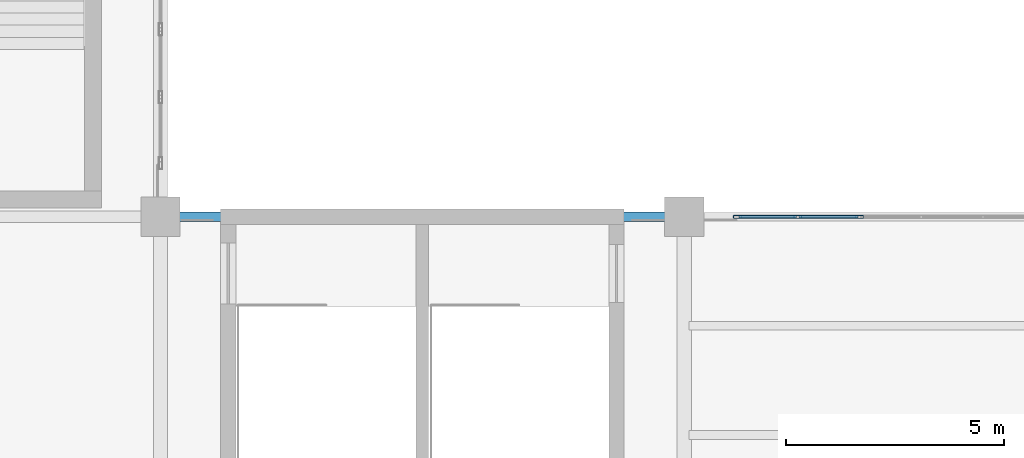
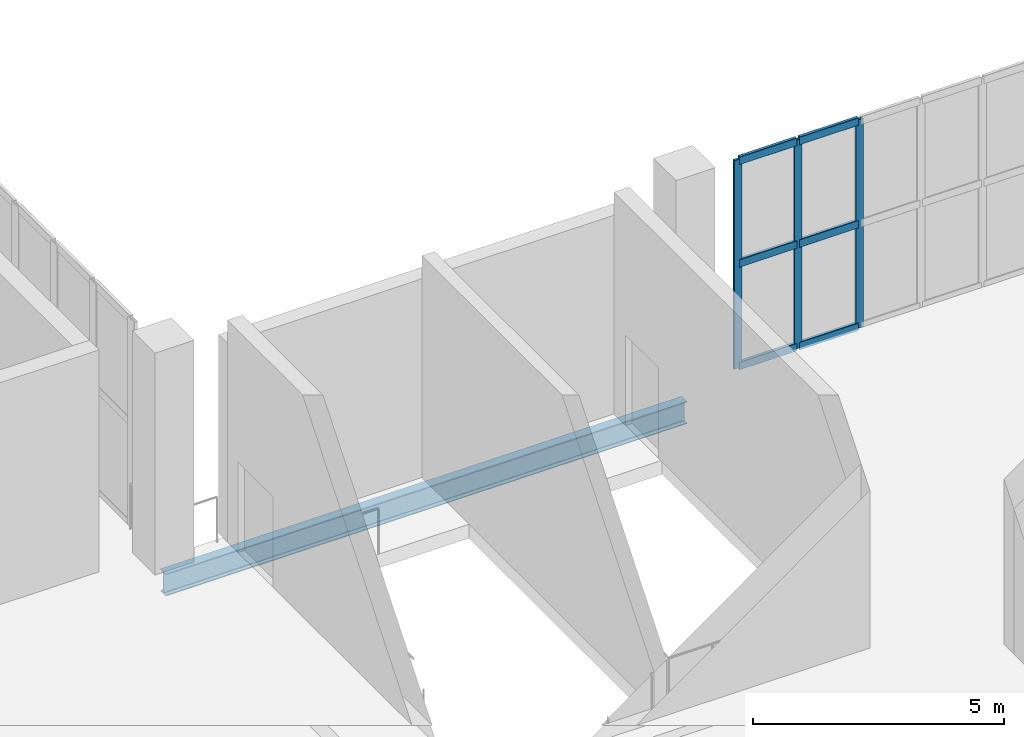
# One storey, part 26 of 74: 9 members, 1 beam, 1 element without a shape of its own.
"""IFC4 building model written with IfcOpenShell, lengths in metres."""

import ifcopenshell
import ifcopenshell.guid

model = None  # the IFC model being written
_history = None  # IfcOwnerHistory: only IFC2X3 demands one
_inside = {}  # id of a spatial element -> (the spatial element, [elements in it])
_under = {}  # id of a project, library or spatial element -> (it, [spatial elements below it])
_declared = {}  # id of a project -> (the project, [libraries it declares])
_typed = {}  # id of a type object -> (the type object, [elements of that type])
_made_of = {}  # id of a material, layer set ... -> (it, [elements and type objects made of it])


def new_model(schema):
    """Start an empty IFC model of exactly this schema.

    Asked for "IFC4X3", IfcOpenShell would pick the latest addendum, in which some entities
    have other attributes; the version numbers below select the first issue.
    IFC2X3 requires an IfcOwnerHistory on every rooted entity: one is made here for all.
    """
    global model, _history
    if schema == "IFC4X3":
        model = ifcopenshell.file(schema_version=(4, 3, 0, 0))
    else:
        model = ifcopenshell.file(schema=schema)
    _inside.clear()
    _under.clear()
    _declared.clear()
    _typed.clear()
    _made_of.clear()
    _history = None
    if model.schema == "IFC2X3":
        org = make("IfcOrganization", Name="unknown")
        user = make(
            "IfcPersonAndOrganization",
            ThePerson=make("IfcPerson", FamilyName="unknown"),
            TheOrganization=org,
        )
        app = make(
            "IfcApplication",
            ApplicationDeveloper=org,
            Version="unknown",
            ApplicationFullName="unknown",
            ApplicationIdentifier="unknown",
        )
        _history = make(
            "IfcOwnerHistory",
            OwningUser=user,
            OwningApplication=app,
            ChangeAction="ADDED",
            CreationDate=0,
        )
    return model


def make(cls, **values):
    """One entity of the class cls with the attributes given. An attribute that is None is left unset."""
    return model.create_entity(
        cls, **{name: value for name, value in values.items() if value is not None}
    )


def rooted(cls, **values):
    """An entity with a GlobalId (a new one), such as an element, a storey or a relation."""
    return make(cls, GlobalId=ifcopenshell.guid.new(), OwnerHistory=_history, **values)


def si_unit(unit_type, name, prefix=None):
    """IfcSIUnit, for example si_unit("LENGTHUNIT", "METRE", prefix="MILLI")."""
    return make("IfcSIUnit", UnitType=unit_type, Prefix=prefix, Name=name)


def assignment(units):
    """IfcUnitAssignment: the units of a project."""
    return None if units is None else make("IfcUnitAssignment", Units=units)


def point(xyz):
    """IfcCartesianPoint."""
    return None if xyz is None else make("IfcCartesianPoint", Coordinates=xyz)


def direction(xyz):
    """IfcDirection."""
    return None if xyz is None else make("IfcDirection", DirectionRatios=xyz)


def frame(location, z_axis=None, x_axis=None):
    """IfcAxis2Placement3D, a coordinate frame: its origin and axes. An axis left out is left unset."""
    return make(
        "IfcAxis2Placement3D",
        Location=point(location),
        Axis=direction(z_axis),
        RefDirection=direction(x_axis),
    )


def frame_2d(location, x_axis=None):
    """IfcAxis2Placement2D, a coordinate frame in the plane: its origin and x axis."""
    return make(
        "IfcAxis2Placement2D", Location=point(location), RefDirection=direction(x_axis)
    )


def origin():
    """The frame at (0, 0, 0) with its axes left unset."""
    return frame((0.0, 0.0, 0.0))


def origin_2d():
    """The frame at (0, 0) in the plane with its x axis left unset."""
    return frame_2d((0.0, 0.0))


def place(relative_to, where):
    """IfcLocalPlacement: puts the frame where relative to a parent placement (None: the world)."""
    return make(
        "IfcLocalPlacement", PlacementRelTo=relative_to, RelativePlacement=where
    )


def context(
    kind, dimensions, precision=None, world=None, true_north=None, identifier=None
):
    """IfcGeometricRepresentationContext, for example the 3D "Model" context."""
    return make(
        "IfcGeometricRepresentationContext",
        ContextIdentifier=identifier,
        ContextType=kind,
        CoordinateSpaceDimension=dimensions,
        Precision=precision,
        WorldCoordinateSystem=world,
        TrueNorth=true_north,
    )


def subcontext(parent, identifier, kind, view, scale=None):
    """IfcGeometricRepresentationSubContext, for example "Body" below "Model"."""
    return make(
        "IfcGeometricRepresentationSubContext",
        ContextIdentifier=identifier,
        ContextType=kind,
        ParentContext=parent,
        TargetScale=scale,
        TargetView=view,
    )


def project(units=None, contexts=None):
    """IfcProject with its units and contexts."""
    return rooted(
        "IfcProject",
        Name="project",
        RepresentationContexts=contexts,
        UnitsInContext=assignment(units),
    )


def spatial(cls, under=None, at=None, **own):
    """A site, building, storey or space (cls), placed at a placement, below another one or the project."""
    s = rooted(cls, ObjectPlacement=at, **own)
    if under is not None:
        _under.setdefault(under.id(), (under, []))[1].append(s)
    return s


def profile(cls, at=None, kind="AREA", **sizes):
    """A parametric profile (cls). Its sizes go by their IFC names, for example OverallWidth=200.0."""
    return make(cls, ProfileType=kind, Position=at, **sizes)


def hollow_rectangle(**sizes):
    """IfcRectangleHollowProfileDef."""
    return profile("IfcRectangleHollowProfileDef", **sizes)


def i_section(**sizes):
    """IfcIShapeProfileDef."""
    return profile("IfcIShapeProfileDef", **sizes)


def extrude(swept, where, along, depth):
    """IfcExtrudedAreaSolid: the profile swept, set in the frame where, extruded along a direction by depth."""
    return make(
        "IfcExtrudedAreaSolid",
        SweptArea=swept,
        Position=where,
        ExtrudedDirection=direction(along),
        Depth=depth,
    )


def shape(context_of_items, identifier, shape_type, items):
    """IfcShapeRepresentation: the items that make up one representation, for example the "Body"."""
    return make(
        "IfcShapeRepresentation",
        ContextOfItems=context_of_items,
        RepresentationIdentifier=identifier,
        RepresentationType=shape_type,
        Items=items,
    )


def material(Name=None, Category=None):
    """IfcMaterial."""
    return make("IfcMaterial", Name=Name, Category=Category)


def layer(
    of_material, thickness, ventilated=None, Name=None, Category=None, Priority=None
):
    """IfcMaterialLayer: one layer of a wall or slab, of a material (None: an air gap)."""
    return make(
        "IfcMaterialLayer",
        Material=of_material,
        LayerThickness=thickness,
        IsVentilated=ventilated,
        Name=Name,
        Category=Category,
        Priority=Priority,
    )


def layer_set(layers, Name=None):
    """IfcMaterialLayerSet."""
    return make("IfcMaterialLayerSet", MaterialLayers=layers, LayerSetName=Name)


def material_profile(
    of_material, cross_section, Name=None, Category=None, Priority=None
):
    """IfcMaterialProfile: a cross section and its material."""
    return make(
        "IfcMaterialProfile",
        Name=Name,
        Material=of_material,
        Profile=cross_section,
        Priority=Priority,
        Category=Category,
    )


def profile_set(profiles, Name=None, composite=None):
    """IfcMaterialProfileSet."""
    return make(
        "IfcMaterialProfileSet",
        Name=Name,
        MaterialProfiles=profiles,
        CompositeProfile=composite,
    )


def made_of(thing, what):
    """Note that an element or type object is made of a material, layer set ...; save() writes the relation."""
    if what is not None:
        _made_of.setdefault(what.id(), (what, []))[1].append(thing)
    return thing


def type_object(cls, material=None, **own):
    """A type object (cls), such as IfcWallType, which elements share."""
    return made_of(rooted(cls, **own), material)


def element(
    cls,
    number,
    at=None,
    inside=None,
    cuts=None,
    type_object=None,
    material=None,
    context=None,
    identifier="Body",
    shape_type=None,
    held_by="IfcProductDefinitionShape",
    body=None,
    shapes=None,
    **own,
):
    """One element of the class cls, such as IfcWall. Its Tag is "e" and its number.

    at: its placement. inside: the storey or other place that contains it. cuts: it is an
    opening in that element (IfcRelVoidsElement). A single representation is given by context,
    identifier, shape_type and body (its items); several are given by shapes. held_by: the class
    of the entity that holds the representations. save() writes the other relations.
    """
    e = rooted(cls, Tag="e%d" % number, ObjectPlacement=at, **own)
    if body is not None:
        shapes = [shape(context, identifier, shape_type, body)]
    if shapes is not None:
        e.Representation = make(held_by, Representations=shapes)
    if inside is not None:
        _inside.setdefault(inside.id(), (inside, []))[1].append(e)
    if cuts is not None:
        rooted(
            "IfcRelVoidsElement", RelatingBuildingElement=cuts, RelatedOpeningElement=e
        )
    if type_object is not None:
        _typed.setdefault(type_object.id(), (type_object, []))[1].append(e)
    return made_of(e, material)


def aggregate(whole, parts):
    """IfcRelAggregates: a whole, such as a stair, and the parts it consists of."""
    return rooted("IfcRelAggregates", RelatingObject=whole, RelatedObjects=parts)


def save(model, path):
    """Write the relations noted so far, then the file.

    IfcRelAggregates (storeys below a building ...), IfcRelContainedInSpatialStructure (elements
    in a storey), IfcRelDefinesByType, IfcRelAssociatesMaterial and IfcRelDeclares: one each for
    every whole, place, type object, material and project.
    """
    for whole, parts in _under.values():
        aggregate(whole, parts)
    for where, things in _inside.values():
        rooted(
            "IfcRelContainedInSpatialStructure",
            RelatedElements=things,
            RelatingStructure=where,
        )
    for kind, things in _typed.values():
        rooted("IfcRelDefinesByType", RelatedObjects=things, RelatingType=kind)
    for what, things in _made_of.values():
        rooted("IfcRelAssociatesMaterial", RelatedObjects=things, RelatingMaterial=what)
    for by, libraries in _declared.values():
        rooted("IfcRelDeclares", RelatingContext=by, RelatedDefinitions=libraries)
    model.write(path)


model = new_model("IFC4")

# Units and contexts
model_context = context("Model", 3, precision=1e-05, world=origin(), true_north=direction((0.0, 1.0)))
body_context = subcontext(model_context, "Body", "Model", "MODEL_VIEW")
ifc_project = project(units=[si_unit("LENGTHUNIT", "METRE"), si_unit("AREAUNIT", "SQUARE_METRE"), si_unit("VOLUMEUNIT", "CUBIC_METRE"), si_unit("PLANEANGLEUNIT", "RADIAN"), si_unit("MASSUNIT", "GRAM", prefix="KILO")], contexts=[model_context])

# Site, building, storey
site_placement = place(None, origin())
site = spatial("IfcSite", under=ifc_project, at=site_placement, CompositionType="ELEMENT")
building_placement = place(site_placement, origin())
building = spatial("IfcBuilding", under=site, at=building_placement, Name="Brinegate Civic Arena", CompositionType="ELEMENT")
storey_placement = place(building_placement, frame((0.0, 0.0, 19.199951171875)))
storey = spatial("IfcBuildingStorey", under=building, at=storey_placement, Name="L04", CompositionType="ELEMENT", Elevation=19.199951171875)

# Curtain wall, members
ifc_material_1 = material(Name="Marine grade aluminium", Category="aluminium")
ifc_layer = layer(ifc_material_1, 0.199951171875, Name="Marine grade aluminium")
ifc_layer_set = layer_set([ifc_layer], Name="Marine grade aluminium")
curtain_wall_type = type_object("IfcCurtainWallType", Name="CW-BOWL-GLAZED-01", PredefinedType="USERDEFINED", material=ifc_layer_set)
curtain_wall_placement = place(storey_placement, origin())
curtain_wall = element("IfcCurtainWall", 1, at=curtain_wall_placement, inside=storey, type_object=curtain_wall_type, Name="Curtain Wall CWA-152", ObjectType="GLAZED CURTAIN WALL", PredefinedType="USERDEFINED")
ifc_material_profile_1 = material_profile(ifc_material_1, hollow_rectangle(XDim=0.06494140625, YDim=0.179931640625, WallThickness=0.0048828125, InnerFilletRadius=0.00390625, OuterFilletRadius=0.008056640625, at=origin_2d()), Name="MUL65X180")
ifc_profile_set_1 = profile_set([ifc_material_profile_1], Name="Marine grade aluminium")
member_type_1 = type_object("IfcMemberType", Name="CW-MULLION-65X180", PredefinedType="MULLION", material=ifc_profile_set_1)
member_1_placement = place(storey_placement, frame((145.218505859375, 114.0, 0.0), z_axis=(0.0, 0.0, 1.0), x_axis=(0.0, 1.0, 0.0)))
member_1 = element("IfcMember", 2, at=member_1_placement, type_object=member_type_1, Name="CWA-152 mullion 1", PredefinedType="MULLION", context=body_context, shape_type="SweptSolid", body=[
    extrude(hollow_rectangle(XDim=0.06494140625, YDim=0.179931640625, WallThickness=0.0048828125, InnerFilletRadius=0.00390625, OuterFilletRadius=0.008056640625, at=origin_2d()), origin(), (0.0, 0.0, 1.0), 5.070068359375),
])
member_2_placement = place(storey_placement, frame((146.60107421875, 114.0, 0.0), z_axis=(0.0, 0.0, 1.0), x_axis=(0.0, 1.0, 0.0)))
member_2 = element("IfcMember", 3, at=member_2_placement, type_object=member_type_1, Name="CWA-152 mullion 2", PredefinedType="MULLION", context=body_context, shape_type="SweptSolid", body=[
    extrude(hollow_rectangle(XDim=0.06494140625, YDim=0.179931640625, WallThickness=0.0048828125, InnerFilletRadius=0.00390625, OuterFilletRadius=0.008056640625, at=origin_2d()), origin(), (0.0, 0.0, 1.0), 5.070068359375),
])
member_3_placement = place(storey_placement, frame((148.01611328125, 114.0, 0.0), z_axis=(0.0, 0.0, 1.0), x_axis=(0.0, 1.0, 0.0)))
member_3 = element("IfcMember", 4, at=member_3_placement, type_object=member_type_1, Name="CWA-152 mullion 3", PredefinedType="MULLION", context=body_context, shape_type="SweptSolid", body=[
    extrude(hollow_rectangle(XDim=0.06494140625, YDim=0.179931640625, WallThickness=0.0048828125, InnerFilletRadius=0.00390625, OuterFilletRadius=0.008056640625, at=origin_2d()), origin(), (0.0, 0.0, 1.0), 5.070068359375),
])
ifc_material_profile_2 = material_profile(ifc_material_1, hollow_rectangle(XDim=0.074951171875, YDim=0.18994140625, WallThickness=0.006103515625, InnerFilletRadius=0.00390625, OuterFilletRadius=0.008056640625, at=origin_2d()), Name="TRN75X190")
ifc_profile_set_2 = profile_set([ifc_material_profile_2], Name="Marine grade aluminium")
member_type_2 = type_object("IfcMemberType", Name="CW-TRANSOM-75X190", PredefinedType="USERDEFINED", material=ifc_profile_set_2)
member_4_placement = place(storey_placement, frame((145.2509765625, 114.0, 0.03759765625), z_axis=(1.0, 0.0, 0.0), x_axis=(0.0, 1.0, 0.0)))
member_4 = element("IfcMember", 5, at=member_4_placement, type_object=member_type_2, Name="CWA-152 transom 1.1", ObjectType="TRANSOM", PredefinedType="USERDEFINED", context=body_context, shape_type="SweptSolid", body=[
    extrude(hollow_rectangle(XDim=0.074951171875, YDim=0.18994140625, WallThickness=0.006103515625, InnerFilletRadius=0.00390625, OuterFilletRadius=0.008056640625, at=origin_2d()), origin(), (0.0, 0.0, 1.0), 1.317626953125),
])
member_5_placement = place(storey_placement, frame((145.2509765625, 114.0, 2.53515625), z_axis=(1.0, 0.0, 0.0), x_axis=(0.0, 1.0, 0.0)))
member_5 = element("IfcMember", 6, at=member_5_placement, type_object=member_type_2, Name="CWA-152 transom 1.2", ObjectType="TRANSOM", PredefinedType="USERDEFINED", context=body_context, shape_type="SweptSolid", body=[
    extrude(hollow_rectangle(XDim=0.074951171875, YDim=0.18994140625, WallThickness=0.006103515625, InnerFilletRadius=0.00390625, OuterFilletRadius=0.008056640625, at=origin_2d()), origin(), (0.0, 0.0, 1.0), 1.317626953125),
])
member_6_placement = place(storey_placement, frame((145.2509765625, 114.0, 5.032470703125), z_axis=(1.0, 0.0, 0.0), x_axis=(0.0, 1.0, 0.0)))
member_6 = element("IfcMember", 7, at=member_6_placement, type_object=member_type_2, Name="CWA-152 transom 1.3", ObjectType="TRANSOM", PredefinedType="USERDEFINED", context=body_context, shape_type="SweptSolid", body=[
    extrude(hollow_rectangle(XDim=0.074951171875, YDim=0.18994140625, WallThickness=0.006103515625, InnerFilletRadius=0.00390625, OuterFilletRadius=0.008056640625, at=origin_2d()), origin(), (0.0, 0.0, 1.0), 1.317626953125),
])
member_7_placement = place(storey_placement, frame((146.633544921875, 114.0, 0.03759765625), z_axis=(1.0, 0.0, 0.0), x_axis=(0.0, 1.0, 0.0)))
member_7 = element("IfcMember", 8, at=member_7_placement, type_object=member_type_2, Name="CWA-152 transom 2.1", ObjectType="TRANSOM", PredefinedType="USERDEFINED", context=body_context, shape_type="SweptSolid", body=[
    extrude(hollow_rectangle(XDim=0.074951171875, YDim=0.18994140625, WallThickness=0.006103515625, InnerFilletRadius=0.00390625, OuterFilletRadius=0.008056640625, at=origin_2d()), origin(), (0.0, 0.0, 1.0), 1.349853515625),
])
member_8_placement = place(storey_placement, frame((146.633544921875, 114.0, 2.53515625), z_axis=(1.0, 0.0, 0.0), x_axis=(0.0, 1.0, 0.0)))
member_8 = element("IfcMember", 9, at=member_8_placement, type_object=member_type_2, Name="CWA-152 transom 2.2", ObjectType="TRANSOM", PredefinedType="USERDEFINED", context=body_context, shape_type="SweptSolid", body=[
    extrude(hollow_rectangle(XDim=0.074951171875, YDim=0.18994140625, WallThickness=0.006103515625, InnerFilletRadius=0.00390625, OuterFilletRadius=0.008056640625, at=origin_2d()), origin(), (0.0, 0.0, 1.0), 1.349853515625),
])
member_9_placement = place(storey_placement, frame((146.633544921875, 114.0, 5.032470703125), z_axis=(1.0, 0.0, 0.0), x_axis=(0.0, 1.0, 0.0)))
member_9 = element("IfcMember", 10, at=member_9_placement, type_object=member_type_2, Name="CWA-152 transom 2.3", ObjectType="TRANSOM", PredefinedType="USERDEFINED", context=body_context, shape_type="SweptSolid", body=[
    extrude(hollow_rectangle(XDim=0.074951171875, YDim=0.18994140625, WallThickness=0.006103515625, InnerFilletRadius=0.00390625, OuterFilletRadius=0.008056640625, at=origin_2d()), origin(), (0.0, 0.0, 1.0), 1.349853515625),
])
aggregate(curtain_wall, [member_1, member_2, member_3, member_4, member_5, member_6, member_7, member_8, member_9])

# Beam
ifc_material_2 = material(Name="Steel S355", Category="steel")
ifc_material_profile_3 = material_profile(ifc_material_2, i_section(OverallWidth=0.2119140625, OverallDepth=0.5439453125, WebThickness=0.012939453125, FlangeThickness=0.02099609375, FilletRadius=0.01611328125, at=origin_2d()), Name="W530X123")
ifc_profile_set_3 = profile_set([ifc_material_profile_3], Name="Steel S355")
beam_type = type_object("IfcBeamType", Name="SPANDREL-W530X123", PredefinedType="SPANDREL", material=ifc_profile_set_3)
beam_placement = place(storey_placement, frame((132.0, 114.0, -0.612060546875), z_axis=(1.0, 0.0, 0.0), x_axis=(0.0, 1.0, 0.0)))
element("IfcBeam", 11, at=beam_placement, inside=storey, type_object=beam_type, Name="Floor Girder BM-L04-GX-11-11", PredefinedType="SPANDREL", context=body_context, shape_type="SweptSolid", body=[
    extrude(i_section(OverallWidth=0.2119140625, OverallDepth=0.5439453125, WebThickness=0.012939453125, FlangeThickness=0.02099609375, FilletRadius=0.01611328125, at=origin_2d()), origin(), (0.0, 0.0, 1.0), 12.0),
])

save(model, "model.ifc")
